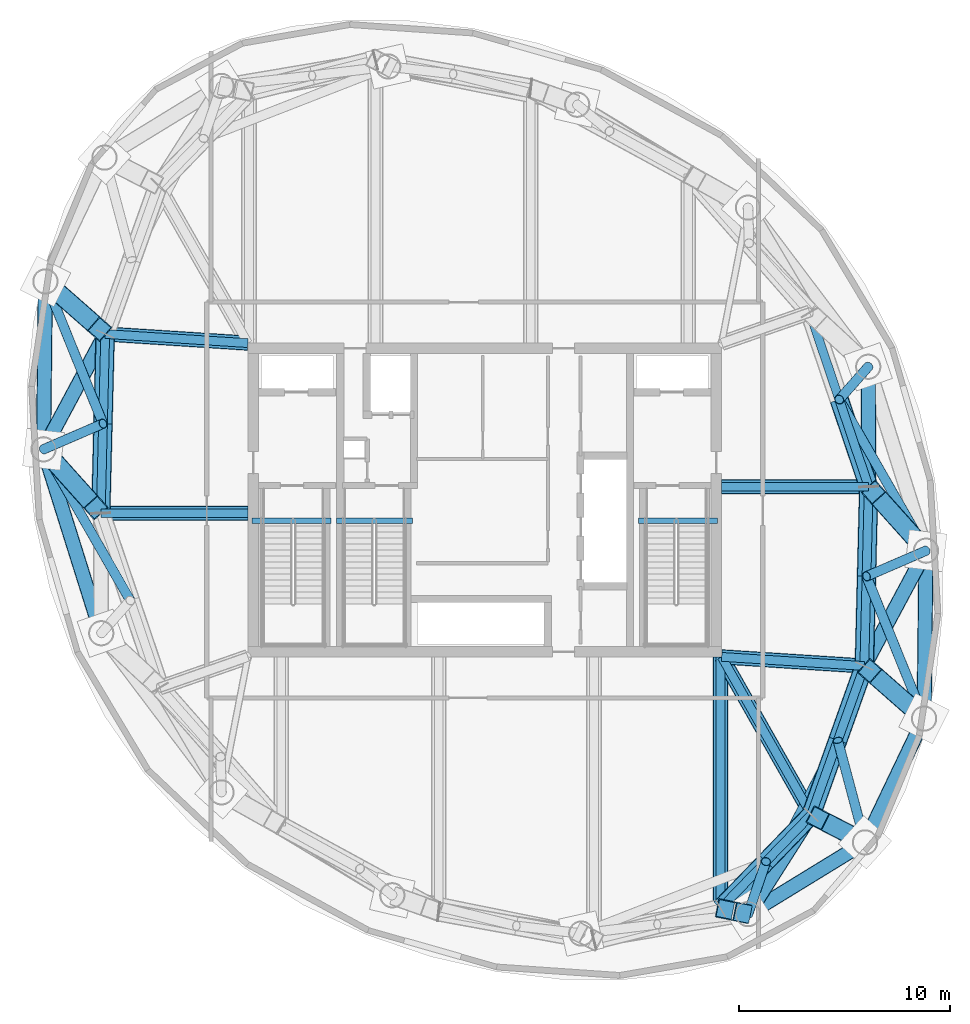
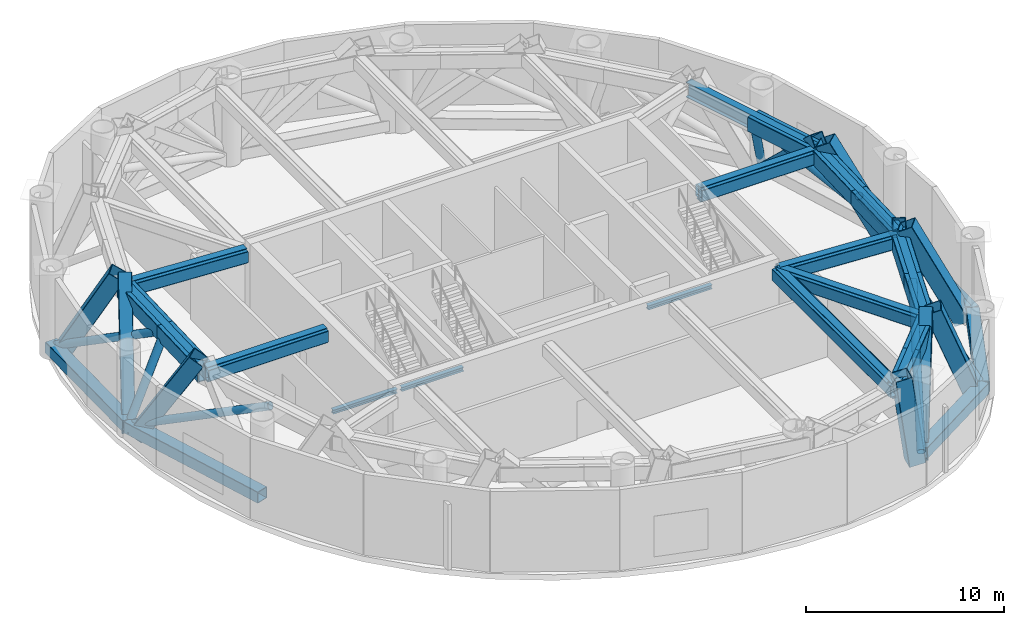
# One storey, part 2 of 9: 40 members, 14 beams.
"""IFC4 building model written with IfcOpenShell, lengths in metres."""

from ifc_helpers import new_model, si_unit, direction, frame, origin, origin_2d, place, context, subcontext, project, spatial, hollow_rectangle, hollow_circle, i_section, extrude, material, material_profile, profile_set, type_object, element, save


model = new_model("IFC4")

# Units and contexts
model_context = context("Model", 3, precision=1e-05, world=origin(), true_north=direction((0.0, 1.0)))
body_context = subcontext(model_context, "Body", "Model", "MODEL_VIEW")
ifc_project = project(units=[si_unit("LENGTHUNIT", "METRE"), si_unit("AREAUNIT", "SQUARE_METRE"), si_unit("VOLUMEUNIT", "CUBIC_METRE"), si_unit("PLANEANGLEUNIT", "RADIAN"), si_unit("MASSUNIT", "GRAM", prefix="KILO")], contexts=[model_context])

# Site, building, storey
site_placement = place(None, origin())
site = spatial("IfcSite", under=ifc_project, at=site_placement, CompositionType="ELEMENT")
building_placement = place(site_placement, origin())
building = spatial("IfcBuilding", under=site, at=building_placement, Name="Bramvorn Convention Spire", CompositionType="ELEMENT")
storey_placement = place(building_placement, frame((0.0, 0.0, 236.64990234375)))
storey = spatial("IfcBuildingStorey", under=building, at=storey_placement, Name="L60", CompositionType="ELEMENT", Elevation=236.64990234375)

# Beams
ifc_material = material(Name="Steel CSA G40.21 Grade 350 (350W)", Category="steel")
ifc_material_profile_1 = material_profile(ifc_material, i_section(OverallWidth=0.25390625, OverallDepth=0.2529296875, WebThickness=0.008544921875, FlangeThickness=0.01416015625, FilletRadius=0.011962890625, at=origin_2d()))
ifc_profile_set_1 = profile_set([ifc_material_profile_1], Name="Steel CSA G40.21 Grade 350 (350W) - W250X73")
beam_type_1 = type_object("IfcBeamType", Name="BM-W250X73", PredefinedType="BEAM", material=ifc_profile_set_1)
for number, where, z_axis, x_axis, name in (
    (1, (26.949951171875, 25.010009765625, -0.12646484375), (1.0, 0.0, 0.0), (0.0, 1.0, 0.0), "L60 ST1 stair arrival header beam"),
    (2, (45.31005859375, 25.010009765625, -0.12646484375), (1.0, 0.0, 0.0), (0.0, 1.0, 0.0), "L60 ST2 stair arrival header beam"),
):
    element("IfcBeam", number, at=place(storey_placement, frame(where, z_axis=z_axis, x_axis=x_axis)), inside=storey, type_object=beam_type_1, Name=name, PredefinedType="BEAM", context=body_context, shape_type="SweptSolid", body=[
        extrude(i_section(OverallWidth=0.25390625, OverallDepth=0.2529296875, WebThickness=0.008544921875, FlangeThickness=0.01416015625, FilletRadius=0.011962890625, at=origin_2d()), origin(), (0.0, 0.0, 1.0), 3.739990234375),
    ])
beam_1_placement = place(storey_placement, frame((30.949951171875, 25.010009765625, -0.12646484375), z_axis=(1.0, 0.0, 0.0), x_axis=(0.0, 1.0, 0.0)))
element("IfcBeam", 3, at=beam_1_placement, inside=storey, type_object=beam_type_1, Name="L60 ST3 stair arrival header beam", PredefinedType="BEAM", context=body_context, shape_type="SweptSolid", body=[
    extrude(i_section(OverallWidth=0.25390625, OverallDepth=0.2529296875, WebThickness=0.008544921875, FlangeThickness=0.01416015625, FilletRadius=0.011962890625, at=origin_2d()), origin(), (0.0, 0.0, 1.0), 3.610107421875),
])
ifc_material_profile_2 = material_profile(ifc_material, i_section(OverallWidth=0.41796875, OverallDepth=0.912109375, WebThickness=0.019287109375, FlangeThickness=0.031982421875, FilletRadius=0.02392578125, at=origin_2d()))
ifc_profile_set_2 = profile_set([ifc_material_profile_2], Name="Steel CSA G40.21 Grade 350 (350W) - W920X342")
beam_type_2 = type_object("IfcBeamType", Name="BM-W920X342", PredefinedType="BEAM", material=ifc_profile_set_2)
beam_2_placement = place(storey_placement, frame((49.199951171875, 6.60107421875, 4.524169921875), z_axis=(0.695007159797, 0.719002814898, 0.0), x_axis=(-0.719002814898, 0.695007159797, 0.0)))
element("IfcBeam", 4, at=beam_2_placement, inside=storey, type_object=beam_type_2, Name="L60 step-in transfer ring girder 01", PredefinedType="BEAM", context=body_context, shape_type="SweptSolid", body=[
    extrude(i_section(OverallWidth=0.41796875, OverallDepth=0.912109375, WebThickness=0.019287109375, FlangeThickness=0.031982421875, FilletRadius=0.02392578125, at=origin_2d()), origin(), (0.0, 0.0, 1.0), 6.1962890625),
])
beam_3_placement = place(storey_placement, frame((49.199951171875, 18.550048828125, 4.524169921875), z_axis=(0.0, -1.0, 0.0), x_axis=(1.0, 0.0, 0.0)))
element("IfcBeam", 5, at=beam_3_placement, inside=storey, type_object=beam_type_2, Name="L60 step-in radial transfer girder MC01", PredefinedType="BEAM", context=body_context, shape_type="SweptSolid", body=[
    extrude(i_section(OverallWidth=0.41796875, OverallDepth=0.912109375, WebThickness=0.019287109375, FlangeThickness=0.031982421875, FilletRadius=0.02392578125, at=origin_2d()), origin(), (0.0, 0.0, 1.0), 11.948974609375),
])
beam_4_placement = place(storey_placement, frame((53.50634765625, 11.05615234375, 4.524169921875), z_axis=(0.335839090413, 0.941919373063, 0.0), x_axis=(-0.941919373063, 0.335839090413, 0.0)))
element("IfcBeam", 6, at=beam_4_placement, inside=storey, type_object=beam_type_2, Name="L60 step-in transfer ring girder 02", PredefinedType="BEAM", context=body_context, shape_type="SweptSolid", body=[
    extrude(i_section(OverallWidth=0.41796875, OverallDepth=0.912109375, WebThickness=0.019287109375, FlangeThickness=0.031982421875, FilletRadius=0.02392578125, at=origin_2d()), origin(), (0.0, 0.0, 1.0), 7.49560546875),
])
beam_5_placement = place(storey_placement, frame((49.25, 18.550048828125, 4.524169921875), z_axis=(0.493873612118, -0.869533699895, 0.0), x_axis=(0.869533699895, 0.493873612118, 0.0)))
element("IfcBeam", 7, at=beam_5_placement, inside=storey, type_object=beam_type_2, Name="L60 step-in radial transfer girder MC02", PredefinedType="BEAM", context=body_context, shape_type="SweptSolid", body=[
    extrude(i_section(OverallWidth=0.41796875, OverallDepth=0.912109375, WebThickness=0.019287109375, FlangeThickness=0.031982421875, FilletRadius=0.02392578125, at=origin_2d()), origin(), (0.0, 0.0, 1.0), 8.618408203125),
])
beam_6_placement = place(storey_placement, frame((56.023681640625, 18.116455078125, 4.524169921875), z_axis=(0.024770853371, 0.999693155335, 0.0), x_axis=(-0.999693155335, 0.024770853371, 0.0)))
element("IfcBeam", 8, at=beam_6_placement, inside=storey, type_object=beam_type_2, Name="L60 step-in transfer ring girder 03", PredefinedType="BEAM", context=body_context, shape_type="SweptSolid", body=[
    extrude(i_section(OverallWidth=0.41796875, OverallDepth=0.912109375, WebThickness=0.019287109375, FlangeThickness=0.031982421875, FilletRadius=0.02392578125, at=origin_2d()), origin(), (0.0, 0.0, 1.0), 8.515625),
])
beam_7_placement = place(storey_placement, frame((49.25, 18.550048828125, 4.524169921875), z_axis=(0.997957536354, -0.063880792379, 0.0), x_axis=(0.063880792379, 0.997957536354, 0.0)))
element("IfcBeam", 9, at=beam_7_placement, inside=storey, type_object=beam_type_2, Name="L60 step-in radial transfer girder MC03", PredefinedType="BEAM", context=body_context, shape_type="SweptSolid", body=[
    extrude(i_section(OverallWidth=0.41796875, OverallDepth=0.912109375, WebThickness=0.019287109375, FlangeThickness=0.031982421875, FilletRadius=0.02392578125, at=origin_2d()), origin(), (0.0, 0.0, 1.0), 6.78759765625),
])
beam_8_placement = place(storey_placement, frame((56.234619140625, 26.62939453125, 4.524169921875), z_axis=(-0.320531023763, 0.947238018032, 0.0), x_axis=(-0.947238018032, -0.320531023763, 0.0)))
element("IfcBeam", 10, at=beam_8_placement, inside=storey, type_object=beam_type_2, Name="L60 step-in transfer ring girder 04", PredefinedType="BEAM", context=body_context, shape_type="SweptSolid", body=[
    extrude(i_section(OverallWidth=0.41796875, OverallDepth=0.912109375, WebThickness=0.019287109375, FlangeThickness=0.031982421875, FilletRadius=0.02392578125, at=origin_2d()), origin(), (0.0, 0.0, 1.0), 8.74169921875),
])
beam_9_placement = place(storey_placement, frame((49.25, 26.62939453125, 4.524169921875), z_axis=(1.0, 0.0, 0.0), x_axis=(0.0, 1.0, 0.0)))
element("IfcBeam", 11, at=beam_9_placement, inside=storey, type_object=beam_type_2, Name="L60 step-in radial transfer girder MC04", PredefinedType="BEAM", context=body_context, shape_type="SweptSolid", body=[
    extrude(i_section(OverallWidth=0.41796875, OverallDepth=0.912109375, WebThickness=0.019287109375, FlangeThickness=0.031982421875, FilletRadius=0.02392578125, at=origin_2d()), origin(), (0.0, 0.0, 1.0), 6.984619140625),
])
beam_10_placement = place(storey_placement, frame((19.976318359375, 33.883544921875, 4.524169921875), z_axis=(-0.024770853371, -0.999693155335, 0.0), x_axis=(0.999693155335, -0.024770853371, 0.0)))
element("IfcBeam", 12, at=beam_10_placement, inside=storey, type_object=beam_type_2, Name="L60 step-in transfer ring girder 11", PredefinedType="BEAM", context=body_context, shape_type="SweptSolid", body=[
    extrude(i_section(OverallWidth=0.41796875, OverallDepth=0.912109375, WebThickness=0.019287109375, FlangeThickness=0.031982421875, FilletRadius=0.02392578125, at=origin_2d()), origin(), (0.0, 0.0, 1.0), 8.515625),
])
beam_11_placement = place(storey_placement, frame((26.75, 33.449951171875, 4.524169921875), z_axis=(-0.997957536354, 0.063880792379, 0.0), x_axis=(-0.063880792379, -0.997957536354, 0.0)))
element("IfcBeam", 13, at=beam_11_placement, inside=storey, type_object=beam_type_2, Name="L60 step-in radial transfer girder MC11", PredefinedType="BEAM", context=body_context, shape_type="SweptSolid", body=[
    extrude(i_section(OverallWidth=0.41796875, OverallDepth=0.912109375, WebThickness=0.019287109375, FlangeThickness=0.031982421875, FilletRadius=0.02392578125, at=origin_2d()), origin(), (0.0, 0.0, 1.0), 6.78759765625),
])
beam_12_placement = place(storey_placement, frame((26.75, 25.37060546875, 4.524169921875), z_axis=(-1.0, 0.0, 0.0), x_axis=(0.0, -1.0, 0.0)))
element("IfcBeam", 14, at=beam_12_placement, inside=storey, type_object=beam_type_2, Name="L60 step-in radial transfer girder MC12", PredefinedType="BEAM", context=body_context, shape_type="SweptSolid", body=[
    extrude(i_section(OverallWidth=0.41796875, OverallDepth=0.912109375, WebThickness=0.019287109375, FlangeThickness=0.031982421875, FilletRadius=0.02392578125, at=origin_2d()), origin(), (0.0, 0.0, 1.0), 6.984619140625),
])

# Members
ifc_material_profile_3 = material_profile(ifc_material, hollow_rectangle(XDim=0.699951171875, YDim=0.699951171875, WallThickness=0.034912109375, InnerFilletRadius=0.0009765625, OuterFilletRadius=0.034912109375, at=origin_2d()))
ifc_profile_set_3 = profile_set([ifc_material_profile_3], Name="Steel CSA G40.21 Grade 350 (350W) - BOX700X700X35")
member_type_1 = type_object("IfcMemberType", Name="MBR-BOX700X700X35", PredefinedType="CHORD", material=ifc_profile_set_3)
member_1_placement = place(storey_placement, frame((56.058349609375, 9.739990234375, 0.4501953125), z_axis=(0.430556138422, 0.902563799223, 0.0), x_axis=(-0.902563799223, 0.430556138422, 0.0)))
element("IfcMember", 15, at=member_1_placement, inside=storey, type_object=member_type_1, Name="L60 belt truss bottom chord 1", PredefinedType="CHORD", context=body_context, shape_type="SweptSolid", body=[
    extrude(hollow_rectangle(XDim=0.699951171875, YDim=0.699951171875, WallThickness=0.034912109375, InnerFilletRadius=0.0009765625, OuterFilletRadius=0.034912109375, at=origin_2d()), origin(), (0.0, 0.0, 1.0), 6.51416015625),
])
member_2_placement = place(storey_placement, frame((49.199951171875, 18.550048828125, 4.530029296875), z_axis=(0.0, -1.0, 0.0), x_axis=(1.0, 0.0, 0.0)))
element("IfcMember", 16, at=member_2_placement, inside=storey, type_object=member_type_1, Name="L60 outrigger top tie MC01", PredefinedType="CHORD", context=body_context, shape_type="SweptSolid", body=[
    extrude(hollow_rectangle(XDim=0.699951171875, YDim=0.699951171875, WallThickness=0.034912109375, InnerFilletRadius=0.0009765625, OuterFilletRadius=0.034912109375, at=origin_2d()), origin(), (0.0, 0.0, 1.0), 11.948974609375),
])
member_3_placement = place(storey_placement, frame((58.863037109375, 15.619384765625, 0.4501953125), z_axis=(0.011480475367, 0.999934097171, 0.0), x_axis=(-0.999934097171, 0.011480475367, 0.0)))
element("IfcMember", 17, at=member_3_placement, inside=storey, type_object=member_type_1, Name="L60 belt truss bottom chord 2", PredefinedType="CHORD", context=body_context, shape_type="SweptSolid", body=[
    extrude(hollow_rectangle(XDim=0.699951171875, YDim=0.699951171875, WallThickness=0.034912109375, InnerFilletRadius=0.0009765625, OuterFilletRadius=0.034912109375, at=origin_2d()), origin(), (0.0, 0.0, 1.0), 7.974609375),
])
member_4_placement = place(storey_placement, frame((50.50439453125, 6.336181640625, 0.0), z_axis=(0.386100731253, 0.607066154628, 0.694547989149), x_axis=(-0.843796248366, 0.536663666782, 0.0)))
element("IfcMember", 18, at=member_4_placement, inside=storey, type_object=member_type_1, Name="L60 step-in secondary transfer strut MC02", PredefinedType="CHORD", context=body_context, shape_type="SweptSolid", body=[
    extrude(hollow_rectangle(XDim=0.699951171875, YDim=0.699951171875, WallThickness=0.034912109375, InnerFilletRadius=0.0009765625, OuterFilletRadius=0.034912109375, at=origin_2d()), origin(), (0.0, 0.0, 1.0), 7.775146484375),
])
member_5_placement = place(storey_placement, frame((49.25, 18.550048828125, 4.530029296875), z_axis=(0.493873612118, -0.869533699895, 0.0), x_axis=(0.869533699895, 0.493873612118, 0.0)))
element("IfcMember", 19, at=member_5_placement, inside=storey, type_object=member_type_1, Name="L60 outrigger top tie MC02", PredefinedType="CHORD", context=body_context, shape_type="SweptSolid", body=[
    extrude(hollow_rectangle(XDim=0.699951171875, YDim=0.699951171875, WallThickness=0.034912109375, InnerFilletRadius=0.0009765625, OuterFilletRadius=0.034912109375, at=origin_2d()), origin(), (0.0, 0.0, 1.0), 8.618408203125),
])
member_6_placement = place(storey_placement, frame((58.95458984375, 23.593505859375, 0.0), z_axis=(-0.356080276533, -0.665414820803, 0.65607160655), x_axis=(0.881696056908, -0.471817828438, 0.0)))
element("IfcMember", 20, at=member_6_placement, inside=storey, type_object=member_type_1, Name="L60 step-in secondary transfer strut MC03", PredefinedType="CHORD", context=body_context, shape_type="SweptSolid", body=[
    extrude(hollow_rectangle(XDim=0.699951171875, YDim=0.699951171875, WallThickness=0.034912109375, InnerFilletRadius=0.0009765625, OuterFilletRadius=0.034912109375, at=origin_2d()), origin(), (0.0, 0.0, 1.0), 8.23095703125),
])
member_7_placement = place(storey_placement, frame((49.25, 18.550048828125, 4.530029296875), z_axis=(0.997957536354, -0.063880792379, 0.0), x_axis=(0.063880792379, 0.997957536354, 0.0)))
element("IfcMember", 21, at=member_7_placement, inside=storey, type_object=member_type_1, Name="L60 outrigger top tie MC03", PredefinedType="CHORD", context=body_context, shape_type="SweptSolid", body=[
    extrude(hollow_rectangle(XDim=0.699951171875, YDim=0.699951171875, WallThickness=0.034912109375, InnerFilletRadius=0.0009765625, OuterFilletRadius=0.034912109375, at=origin_2d()), origin(), (0.0, 0.0, 1.0), 6.78759765625),
])
member_8_placement = place(storey_placement, frame((56.21044921875, 32.327392578125, 0.0), z_axis=(0.003078799874, -0.725819295533, 0.68787852941), x_axis=(0.999991003573, 0.004241788824, 0.0)))
element("IfcMember", 22, at=member_8_placement, inside=storey, type_object=member_type_1, Name="L60 step-in secondary transfer strut MC04", PredefinedType="CHORD", context=body_context, shape_type="SweptSolid", body=[
    extrude(hollow_rectangle(XDim=0.699951171875, YDim=0.699951171875, WallThickness=0.034912109375, InnerFilletRadius=0.0009765625, OuterFilletRadius=0.034912109375, at=origin_2d()), origin(), (0.0, 0.0, 1.0), 7.850341796875),
])
member_9_placement = place(storey_placement, frame((49.25, 26.62939453125, 4.530029296875), z_axis=(1.0, 0.0, 0.0), x_axis=(0.0, 1.0, 0.0)))
element("IfcMember", 23, at=member_9_placement, inside=storey, type_object=member_type_1, Name="L60 outrigger top tie MC04", PredefinedType="CHORD", context=body_context, shape_type="SweptSolid", body=[
    extrude(hollow_rectangle(XDim=0.699951171875, YDim=0.699951171875, WallThickness=0.034912109375, InnerFilletRadius=0.0009765625, OuterFilletRadius=0.034912109375, at=origin_2d()), origin(), (0.0, 0.0, 1.0), 6.984619140625),
])
member_10_placement = place(storey_placement, frame((17.136962890625, 36.380615234375, 0.4501953125), z_axis=(-0.011480475367, -0.999934097171, 0.0), x_axis=(0.999934097171, -0.011480475367, 0.0)))
element("IfcMember", 24, at=member_10_placement, inside=storey, type_object=member_type_1, Name="L60 belt truss bottom chord 10", PredefinedType="CHORD", context=body_context, shape_type="SweptSolid", body=[
    extrude(hollow_rectangle(XDim=0.699951171875, YDim=0.699951171875, WallThickness=0.034912109375, InnerFilletRadius=0.0009765625, OuterFilletRadius=0.034912109375, at=origin_2d()), origin(), (0.0, 0.0, 1.0), 7.974609375),
])
member_11_placement = place(storey_placement, frame((17.04541015625, 28.406494140625, 0.4501953125), z_axis=(0.299747542929, -0.954018558786, 0.0), x_axis=(0.954018558786, 0.299747542929, 0.0)))
element("IfcMember", 25, at=member_11_placement, inside=storey, type_object=member_type_1, Name="L60 belt truss bottom chord 11", PredefinedType="CHORD", context=body_context, shape_type="SweptSolid", body=[
    extrude(hollow_rectangle(XDim=0.699951171875, YDim=0.699951171875, WallThickness=0.034912109375, InnerFilletRadius=0.0009765625, OuterFilletRadius=0.034912109375, at=origin_2d()), origin(), (0.0, 0.0, 1.0), 9.15478515625),
])
member_12_placement = place(storey_placement, frame((17.04541015625, 28.406494140625, 0.0), z_axis=(0.356080276533, 0.665414820803, 0.65607160655), x_axis=(-0.881696056908, 0.471817828438, 0.0)))
element("IfcMember", 26, at=member_12_placement, inside=storey, type_object=member_type_1, Name="L60 step-in secondary transfer strut MC11", PredefinedType="CHORD", context=body_context, shape_type="SweptSolid", body=[
    extrude(hollow_rectangle(XDim=0.699951171875, YDim=0.699951171875, WallThickness=0.034912109375, InnerFilletRadius=0.0009765625, OuterFilletRadius=0.034912109375, at=origin_2d()), origin(), (0.0, 0.0, 1.0), 8.23095703125),
])
member_13_placement = place(storey_placement, frame((26.75, 33.449951171875, 4.530029296875), z_axis=(-0.997957536354, 0.063880792379, 0.0), x_axis=(-0.063880792379, -0.997957536354, 0.0)))
element("IfcMember", 27, at=member_13_placement, inside=storey, type_object=member_type_1, Name="L60 outrigger top tie MC11", PredefinedType="CHORD", context=body_context, shape_type="SweptSolid", body=[
    extrude(hollow_rectangle(XDim=0.699951171875, YDim=0.699951171875, WallThickness=0.034912109375, InnerFilletRadius=0.0009765625, OuterFilletRadius=0.034912109375, at=origin_2d()), origin(), (0.0, 0.0, 1.0), 6.78759765625),
])
member_14_placement = place(storey_placement, frame((26.75, 25.37060546875, 4.530029296875), z_axis=(-1.0, 0.0, 0.0), x_axis=(0.0, -1.0, 0.0)))
element("IfcMember", 28, at=member_14_placement, inside=storey, type_object=member_type_1, Name="L60 outrigger top tie MC12", PredefinedType="CHORD", context=body_context, shape_type="SweptSolid", body=[
    extrude(hollow_rectangle(XDim=0.699951171875, YDim=0.699951171875, WallThickness=0.034912109375, InnerFilletRadius=0.0009765625, OuterFilletRadius=0.034912109375, at=origin_2d()), origin(), (0.0, 0.0, 1.0), 6.984619140625),
])
member_15_placement = place(storey_placement, frame((50.50439453125, 6.336181640625, 0.4501953125), z_axis=(0.852616873135, 0.522536570629, 0.0), x_axis=(-0.522536570629, 0.852616873135, 0.0)))
element("IfcMember", 29, at=member_15_placement, inside=storey, type_object=member_type_1, Name="L60 belt truss bottom chord 16", PredefinedType="CHORD", context=body_context, shape_type="SweptSolid", body=[
    extrude(hollow_rectangle(XDim=0.699951171875, YDim=0.699951171875, WallThickness=0.034912109375, InnerFilletRadius=0.0009765625, OuterFilletRadius=0.034912109375, at=origin_2d()), origin(), (0.0, 0.0, 1.0), 6.513916015625),
])
ifc_material_profile_4 = material_profile(ifc_material, hollow_rectangle(XDim=0.89990234375, YDim=0.89990234375, WallThickness=0.044921875, InnerFilletRadius=0.0009765625, OuterFilletRadius=0.044921875, at=origin_2d()))
ifc_profile_set_4 = profile_set([ifc_material_profile_4], Name="Steel CSA G40.21 Grade 350 (350W) - BOX900X900X45")
member_type_2 = type_object("IfcMemberType", Name="MBR-BOX900X900X45", PredefinedType="CHORD", material=ifc_profile_set_4)
member_16_placement = place(storey_placement, frame((49.199951171875, 6.60107421875, 4.530029296875), z_axis=(0.695027528279, 0.718983125626, 0.0), x_axis=(-0.718983125626, 0.695027528279, 0.0)))
element("IfcMember", 30, at=member_16_placement, inside=storey, type_object=member_type_2, Name="L60 belt truss top chord 1A", PredefinedType="CHORD", context=body_context, shape_type="SweptSolid", body=[
    extrude(hollow_rectangle(XDim=0.89990234375, YDim=0.89990234375, WallThickness=0.044921875, InnerFilletRadius=0.0009765625, OuterFilletRadius=0.044921875, at=origin_2d()), origin(), (0.0, 0.0, 1.0), 3.09814453125),
])
member_17_placement = place(storey_placement, frame((51.353271484375, 8.82861328125, 4.530029296875), z_axis=(0.694986789642, 0.719022504671, 0.0), x_axis=(-0.719022504671, 0.694986789642, 0.0)))
element("IfcMember", 31, at=member_17_placement, inside=storey, type_object=member_type_2, Name="L60 belt truss top chord 1B", PredefinedType="CHORD", context=body_context, shape_type="SweptSolid", body=[
    extrude(hollow_rectangle(XDim=0.89990234375, YDim=0.89990234375, WallThickness=0.044921875, InnerFilletRadius=0.0009765625, OuterFilletRadius=0.044921875, at=origin_2d()), origin(), (0.0, 0.0, 1.0), 3.097900390625),
])
member_18_placement = place(storey_placement, frame((50.178466796875, 6.40234375, 0.0), z_axis=(-0.131667448733, 0.026745650525, 0.990933071969), x_axis=(-0.199064927873, -0.979986303216, 0.0)))
element("IfcMember", 32, at=member_18_placement, inside=storey, type_object=member_type_2, Name="L60 step-in mega-column transfer strut MC01", PredefinedType="CHORD", context=body_context, shape_type="SweptSolid", body=[
    extrude(hollow_rectangle(XDim=0.89990234375, YDim=0.89990234375, WallThickness=0.044921875, InnerFilletRadius=0.0009765625, OuterFilletRadius=0.044921875, at=origin_2d()), origin(), (0.0, 0.0, 1.0), 5.449462890625),
])
member_19_placement = place(storey_placement, frame((53.50634765625, 11.05615234375, 4.530029296875), z_axis=(0.335857683639, 0.941912743486, 0.0), x_axis=(-0.941912743486, 0.335857683639, 0.0)))
element("IfcMember", 33, at=member_19_placement, inside=storey, type_object=member_type_2, Name="L60 belt truss top chord 2A", PredefinedType="CHORD", context=body_context, shape_type="SweptSolid", body=[
    extrude(hollow_rectangle(XDim=0.89990234375, YDim=0.89990234375, WallThickness=0.044921875, InnerFilletRadius=0.0009765625, OuterFilletRadius=0.044921875, at=origin_2d()), origin(), (0.0, 0.0, 1.0), 3.748046875),
])
member_20_placement = place(storey_placement, frame((54.76513671875, 14.58642578125, 4.530029296875), z_axis=(0.335820495509, 0.941926002824, 0.0), x_axis=(-0.941926002824, 0.335820495509, 0.0)))
element("IfcMember", 34, at=member_20_placement, inside=storey, type_object=member_type_2, Name="L60 belt truss top chord 2B", PredefinedType="CHORD", context=body_context, shape_type="SweptSolid", body=[
    extrude(hollow_rectangle(XDim=0.89990234375, YDim=0.89990234375, WallThickness=0.044921875, InnerFilletRadius=0.0009765625, OuterFilletRadius=0.044921875, at=origin_2d()), origin(), (0.0, 0.0, 1.0), 3.74755859375),
])
member_21_placement = place(storey_placement, frame((55.658447265625, 9.9462890625, 0.0), z_axis=(-0.318312858642, 0.164158428227, 0.933664251466), x_axis=(-0.458351686848, -0.888770910394, 0.0)))
element("IfcMember", 35, at=member_21_placement, inside=storey, type_object=member_type_2, Name="L60 step-in mega-column transfer strut MC02", PredefinedType="CHORD", context=body_context, shape_type="SweptSolid", body=[
    extrude(hollow_rectangle(XDim=0.89990234375, YDim=0.89990234375, WallThickness=0.044921875, InnerFilletRadius=0.0009765625, OuterFilletRadius=0.044921875, at=origin_2d()), origin(), (0.0, 0.0, 1.0), 5.783935546875),
])
member_22_placement = place(storey_placement, frame((56.023681640625, 18.116455078125, 4.530029296875), z_axis=(0.02477014343, 0.999693172926, 0.0), x_axis=(-0.999693172926, 0.02477014343, 0.0)))
element("IfcMember", 36, at=member_22_placement, inside=storey, type_object=member_type_2, Name="L60 belt truss top chord 3A", PredefinedType="CHORD", context=body_context, shape_type="SweptSolid", body=[
    extrude(hollow_rectangle(XDim=0.89990234375, YDim=0.89990234375, WallThickness=0.044921875, InnerFilletRadius=0.0009765625, OuterFilletRadius=0.044921875, at=origin_2d()), origin(), (0.0, 0.0, 1.0), 4.2578125),
])
member_23_placement = place(storey_placement, frame((56.129150390625, 22.373046875, 4.530029296875), z_axis=(0.024771563353, 0.999693137742, 0.0), x_axis=(-0.999693137742, 0.024771563353, 0.0)))
element("IfcMember", 37, at=member_23_placement, inside=storey, type_object=member_type_2, Name="L60 belt truss top chord 3B", PredefinedType="CHORD", context=body_context, shape_type="SweptSolid", body=[
    extrude(hollow_rectangle(XDim=0.89990234375, YDim=0.89990234375, WallThickness=0.044921875, InnerFilletRadius=0.0009765625, OuterFilletRadius=0.044921875, at=origin_2d()), origin(), (0.0, 0.0, 1.0), 4.257568359375),
])
member_24_placement = place(storey_placement, frame((58.525146484375, 15.916748046875, 0.0), z_axis=(-0.362904993002, 0.319169578315, 0.875460305401), x_axis=(-0.660410019063, -0.750905191566, 0.0)))
element("IfcMember", 38, at=member_24_placement, inside=storey, type_object=member_type_2, Name="L60 step-in mega-column transfer strut MC03", PredefinedType="CHORD", context=body_context, shape_type="SweptSolid", body=[
    extrude(hollow_rectangle(XDim=0.89990234375, YDim=0.89990234375, WallThickness=0.044921875, InnerFilletRadius=0.0009765625, OuterFilletRadius=0.044921875, at=origin_2d()), origin(), (0.0, 0.0, 1.0), 6.16845703125),
])
member_25_placement = place(storey_placement, frame((56.234619140625, 26.62939453125, 4.530029296875), z_axis=(-0.320547602394, 0.947232407912, 0.0), x_axis=(-0.947232407912, -0.320547602394, 0.0)))
element("IfcMember", 39, at=member_25_placement, inside=storey, type_object=member_type_2, Name="L60 belt truss top chord 4A", PredefinedType="CHORD", context=body_context, shape_type="SweptSolid", body=[
    extrude(hollow_rectangle(XDim=0.89990234375, YDim=0.89990234375, WallThickness=0.044921875, InnerFilletRadius=0.0009765625, OuterFilletRadius=0.044921875, at=origin_2d()), origin(), (0.0, 0.0, 1.0), 4.37109375),
])
member_26_placement = place(storey_placement, frame((58.654296875, 23.9287109375, 0.0), z_axis=(-0.346131785935, 0.386330228969, 0.854951309111), x_axis=(-0.744792899438, -0.667295689291, 0.0)))
element("IfcMember", 40, at=member_26_placement, inside=storey, type_object=member_type_2, Name="L60 step-in mega-column transfer strut MC04", PredefinedType="CHORD", context=body_context, shape_type="SweptSolid", body=[
    extrude(hollow_rectangle(XDim=0.89990234375, YDim=0.89990234375, WallThickness=0.044921875, InnerFilletRadius=0.0009765625, OuterFilletRadius=0.044921875, at=origin_2d()), origin(), (0.0, 0.0, 1.0), 6.31640625),
])
member_27_placement = place(storey_placement, frame((19.976318359375, 33.883544921875, 4.530029296875), z_axis=(-0.02477014343, -0.999693172926, 0.0), x_axis=(0.999693172926, -0.02477014343, 0.0)))
element("IfcMember", 41, at=member_27_placement, inside=storey, type_object=member_type_2, Name="L60 belt truss top chord 11A", PredefinedType="CHORD", context=body_context, shape_type="SweptSolid", body=[
    extrude(hollow_rectangle(XDim=0.89990234375, YDim=0.89990234375, WallThickness=0.044921875, InnerFilletRadius=0.0009765625, OuterFilletRadius=0.044921875, at=origin_2d()), origin(), (0.0, 0.0, 1.0), 4.2578125),
])
member_28_placement = place(storey_placement, frame((19.870849609375, 29.626953125, 4.530029296875), z_axis=(-0.024771563353, -0.999693137742, 0.0), x_axis=(0.999693137742, -0.024771563353, 0.0)))
element("IfcMember", 42, at=member_28_placement, inside=storey, type_object=member_type_2, Name="L60 belt truss top chord 11B", PredefinedType="CHORD", context=body_context, shape_type="SweptSolid", body=[
    extrude(hollow_rectangle(XDim=0.89990234375, YDim=0.89990234375, WallThickness=0.044921875, InnerFilletRadius=0.0009765625, OuterFilletRadius=0.044921875, at=origin_2d()), origin(), (0.0, 0.0, 1.0), 4.257568359375),
])
member_29_placement = place(storey_placement, frame((17.474853515625, 36.083251953125, 0.0), z_axis=(0.362904993002, -0.319169578315, 0.875460305401), x_axis=(0.660410019063, 0.750905191566, 0.0)))
element("IfcMember", 43, at=member_29_placement, inside=storey, type_object=member_type_2, Name="L60 step-in mega-column transfer strut MC11", PredefinedType="CHORD", context=body_context, shape_type="SweptSolid", body=[
    extrude(hollow_rectangle(XDim=0.89990234375, YDim=0.89990234375, WallThickness=0.044921875, InnerFilletRadius=0.0009765625, OuterFilletRadius=0.044921875, at=origin_2d()), origin(), (0.0, 0.0, 1.0), 6.16845703125),
])
member_30_placement = place(storey_placement, frame((17.345703125, 28.0712890625, 0.0), z_axis=(0.346131785935, -0.386330228969, 0.854951309111), x_axis=(0.744792899438, 0.667295689291, 0.0)))
element("IfcMember", 44, at=member_30_placement, inside=storey, type_object=member_type_2, Name="L60 step-in mega-column transfer strut MC12", PredefinedType="CHORD", context=body_context, shape_type="SweptSolid", body=[
    extrude(hollow_rectangle(XDim=0.89990234375, YDim=0.89990234375, WallThickness=0.044921875, InnerFilletRadius=0.0009765625, OuterFilletRadius=0.044921875, at=origin_2d()), origin(), (0.0, 0.0, 1.0), 6.31640625),
])
ifc_material_profile_5 = material_profile(ifc_material, hollow_circle(Radius=0.228515625, WallThickness=0.01904296875, at=origin_2d()))
ifc_profile_set_5 = profile_set([ifc_material_profile_5], Name="Steel CSA G40.21 Grade 350 (350W) - CHS457X19")
member_type_3 = type_object("IfcMemberType", Name="MBR-CHS457X19", PredefinedType="BRACE", material=ifc_profile_set_5)
member_31_placement = place(storey_placement, frame((50.50439453125, 6.336181640625, 0.4501953125), z_axis=(0.174820603746, 0.51329983999, 0.840214871787), x_axis=(-0.946604757986, 0.322396389805, 0.0)))
element("IfcMember", 45, at=member_31_placement, inside=storey, type_object=member_type_3, Name="L60 ring belt diagonal 1A", PredefinedType="BRACE", context=body_context, shape_type="SweptSolid", body=[
    extrude(hollow_circle(Radius=0.228515625, WallThickness=0.01904296875, at=origin_2d()), origin(), (0.0, 0.0, 1.0), 4.855712890625),
])
member_32_placement = place(storey_placement, frame((56.058349609375, 9.739990234375, 0.4501953125), z_axis=(-0.200011020003, 0.749559893918, 0.630995687233), x_axis=(-0.966193727464, -0.25781714646, 0.0)))
element("IfcMember", 46, at=member_32_placement, inside=storey, type_object=member_type_3, Name="L60 ring belt diagonal 2A", PredefinedType="BRACE", context=body_context, shape_type="SweptSolid", body=[
    extrude(hollow_circle(Radius=0.228515625, WallThickness=0.01904296875, at=origin_2d()), origin(), (0.0, 0.0, 1.0), 6.4658203125),
])
member_33_placement = place(storey_placement, frame((50.50439453125, 6.336181640625, 0.4501953125), z_axis=(0.420097783828, 0.813452006012, 0.402260718861), x_axis=(-0.888508632805, 0.458859901746, 0.0)))
element("IfcMember", 47, at=member_33_placement, inside=storey, type_object=member_type_3, Name="L60 ring belt diagonal 2B", PredefinedType="BRACE", context=body_context, shape_type="SweptSolid", body=[
    extrude(hollow_circle(Radius=0.228515625, WallThickness=0.01904296875, at=origin_2d()), origin(), (0.0, 0.0, 1.0), 10.142333984375),
])
member_34_placement = place(storey_placement, frame((58.863037109375, 15.619384765625, 0.4501953125), z_axis=(-0.327391313087, 0.808771735482, 0.488572623057), x_axis=(-0.926934326743, -0.375223605208, 0.0)))
element("IfcMember", 48, at=member_34_placement, inside=storey, type_object=member_type_3, Name="L60 ring belt diagonal 3A", PredefinedType="BRACE", context=body_context, shape_type="SweptSolid", body=[
    extrude(hollow_circle(Radius=0.228515625, WallThickness=0.01904296875, at=origin_2d()), origin(), (0.0, 0.0, 1.0), 8.3505859375),
])
member_35_placement = place(storey_placement, frame((58.95458984375, 23.593505859375, 0.4501953125), z_axis=(-0.552864571266, -0.238811889031, 0.798316758872), x_axis=(0.396540858196, -0.918017073796, 0.0)))
element("IfcMember", 49, at=member_35_placement, inside=storey, type_object=member_type_3, Name="L60 ring belt diagonal 3B", PredefinedType="BRACE", context=body_context, shape_type="SweptSolid", body=[
    extrude(hollow_circle(Radius=0.228515625, WallThickness=0.01904296875, at=origin_2d()), origin(), (0.0, 0.0, 1.0), 5.110595703125),
])
member_36_placement = place(storey_placement, frame((58.95458984375, 23.593505859375, 0.4501953125), z_axis=(-0.44666102282, 0.777793489619, 0.4421891204), x_axis=(-0.867180904153, -0.497993252436, 0.0)))
element("IfcMember", 50, at=member_36_placement, inside=storey, type_object=member_type_3, Name="L60 ring belt diagonal 4A", PredefinedType="BRACE", context=body_context, shape_type="SweptSolid", body=[
    extrude(hollow_circle(Radius=0.228515625, WallThickness=0.01904296875, at=origin_2d()), origin(), (0.0, 0.0, 1.0), 9.2265625),
])
member_37_placement = place(storey_placement, frame((56.21044921875, 32.327392578125, 0.4501953125), z_axis=(-0.300710619741, -0.34016555921, 0.890988504697), x_axis=(0.749220665046, -0.662320462517, 0.0)))
element("IfcMember", 51, at=member_37_placement, inside=storey, type_object=member_type_3, Name="L60 ring belt diagonal 4B", PredefinedType="BRACE", context=body_context, shape_type="SweptSolid", body=[
    extrude(hollow_circle(Radius=0.228515625, WallThickness=0.01904296875, at=origin_2d()), origin(), (0.0, 0.0, 1.0), 4.5791015625),
])
member_38_placement = place(storey_placement, frame((17.136962890625, 36.380615234375, 0.4501953125), z_axis=(0.327391313087, -0.808771735482, 0.488572623057), x_axis=(0.926934326743, 0.375223605208, 0.0)))
element("IfcMember", 52, at=member_38_placement, inside=storey, type_object=member_type_3, Name="L60 ring belt diagonal 11A", PredefinedType="BRACE", context=body_context, shape_type="SweptSolid", body=[
    extrude(hollow_circle(Radius=0.228515625, WallThickness=0.01904296875, at=origin_2d()), origin(), (0.0, 0.0, 1.0), 8.3505859375),
])
member_39_placement = place(storey_placement, frame((17.04541015625, 28.406494140625, 0.4501953125), z_axis=(0.552864571266, 0.238811889031, 0.798316758872), x_axis=(-0.396540858196, 0.918017073796, 0.0)))
element("IfcMember", 53, at=member_39_placement, inside=storey, type_object=member_type_3, Name="L60 ring belt diagonal 11B", PredefinedType="BRACE", context=body_context, shape_type="SweptSolid", body=[
    extrude(hollow_circle(Radius=0.228515625, WallThickness=0.01904296875, at=origin_2d()), origin(), (0.0, 0.0, 1.0), 5.110595703125),
])
member_40_placement = place(storey_placement, frame((17.04541015625, 28.406494140625, 0.4501953125), z_axis=(0.44666102282, -0.777793489619, 0.4421891204), x_axis=(0.867180904153, 0.497993252436, 0.0)))
element("IfcMember", 54, at=member_40_placement, inside=storey, type_object=member_type_3, Name="L60 ring belt diagonal 12A", PredefinedType="BRACE", context=body_context, shape_type="SweptSolid", body=[
    extrude(hollow_circle(Radius=0.228515625, WallThickness=0.01904296875, at=origin_2d()), origin(), (0.0, 0.0, 1.0), 9.2265625),
])

save(model, "model.ifc")
